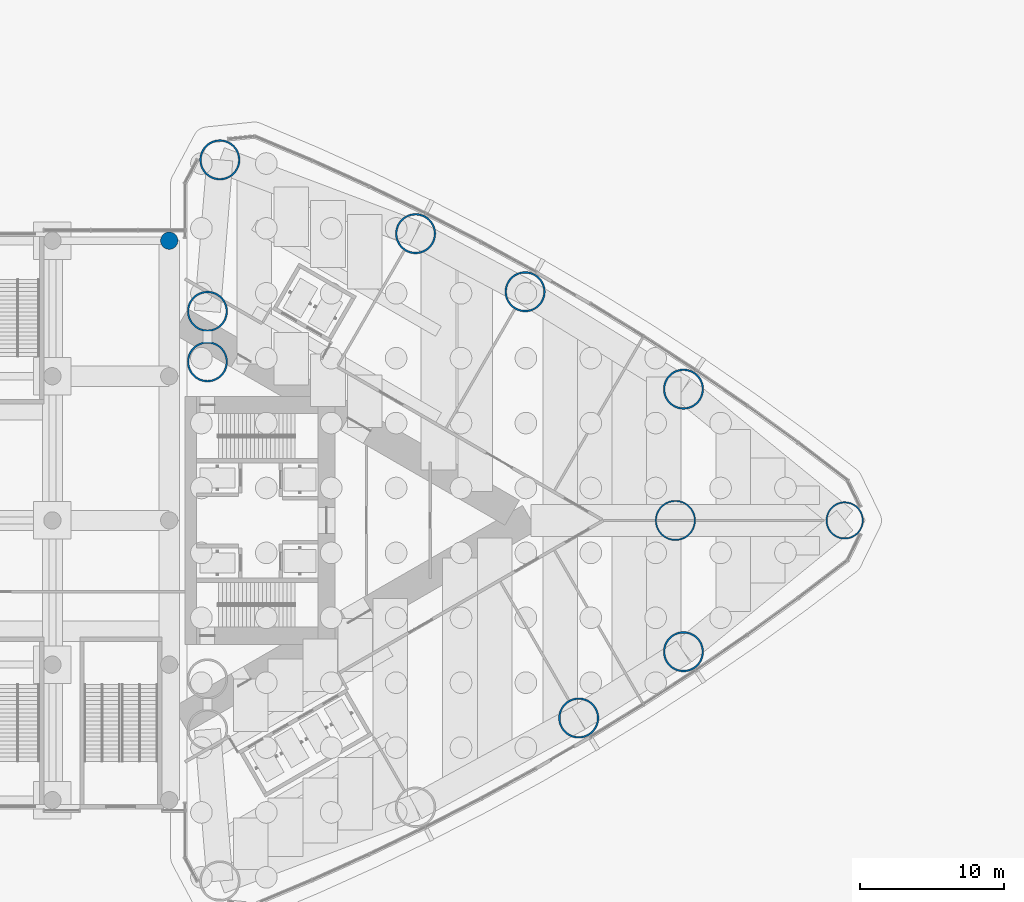
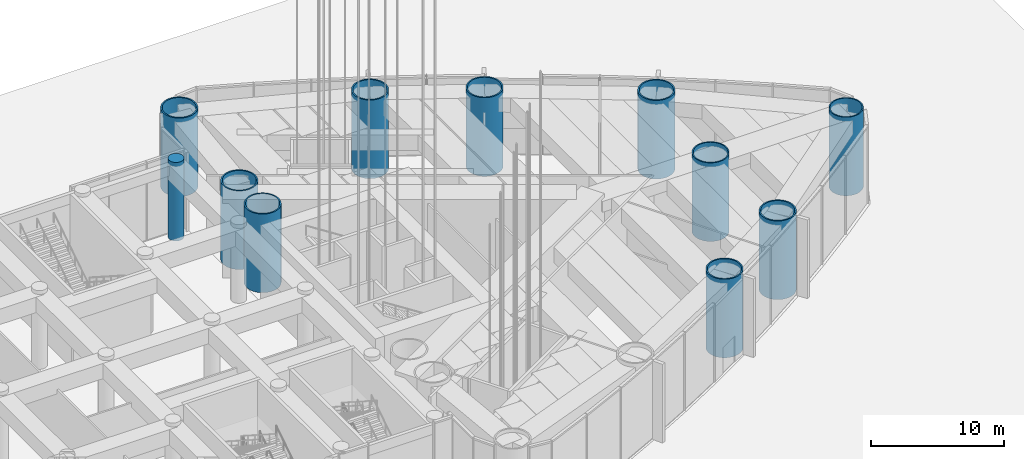
# One storey, part 6 of 43: 11 columns.
"""IFC4 building model written with IfcOpenShell, lengths in metres."""

from ifc_helpers import new_model, si_unit, direction, frame, origin, origin_2d, place, context, subcontext, project, spatial, circle, hollow_circle, extrude, material, material_profile, profile_set, type_object, element, save


model = new_model("IFC4")

# Units and contexts
model_context = context("Model", 3, precision=1e-05, world=origin(), true_north=direction((0.0, 1.0)))
body_context = subcontext(model_context, "Body", "Model", "MODEL_VIEW")
ifc_project = project(units=[si_unit("LENGTHUNIT", "METRE"), si_unit("AREAUNIT", "SQUARE_METRE"), si_unit("VOLUMEUNIT", "CUBIC_METRE"), si_unit("PLANEANGLEUNIT", "RADIAN"), si_unit("MASSUNIT", "GRAM", prefix="KILO")], contexts=[model_context])

# Site, building, storey
site_placement = place(None, origin())
site = spatial("IfcSite", under=ifc_project, at=site_placement, CompositionType="ELEMENT")
building_placement = place(site_placement, origin())
building = spatial("IfcBuilding", under=site, at=building_placement, Name="Lancet Gate Hotel", CompositionType="ELEMENT")
storey_placement = place(building_placement, origin())
storey = spatial("IfcBuildingStorey", under=building, at=storey_placement, Name="L00", CompositionType="ELEMENT", Elevation=0.0)

# Columns
ifc_material_1 = material(Name="Composite filled tube, grade 460 plate, grade 80/95 fill", Category="composite")
ifc_material_profile_1 = material_profile(ifc_material_1, hollow_circle(Radius=1.39990234375, WallThickness=0.10009765625, at=origin_2d()), Name="CHS 2800x100")
ifc_profile_set_1 = profile_set([ifc_material_profile_1], Name="Composite filled tube, grade 460 plate, grade 80/95 fill")
column_type_1 = type_object("IfcColumnType", Name="Apex column CFT CHS 2800x100", PredefinedType="COLUMN", material=ifc_profile_set_1)
column_1_placement = place(storey_placement, frame((61.5, 0.0, 0.0), z_axis=(0.0, 0.0, 1.0), x_axis=(1.0, 0.0, 0.0)))
element("IfcColumn", 1, at=column_1_placement, inside=storey, type_object=column_type_1, Name="T2 column AX L00", PredefinedType="COLUMN", context=body_context, shape_type="SweptSolid", body=[
    extrude(hollow_circle(Radius=1.39990234375, WallThickness=0.10009765625, at=origin_2d()), origin(), (0.0, 0.0, 1.0), 7.199951171875),
])
ifc_material_2 = material(Name="Composite filled tube, grade 460 plate, grade 80/95 fill", Category="composite")
ifc_material_profile_2 = material_profile(ifc_material_2, hollow_circle(Radius=1.300048828125, WallThickness=0.10009765625, at=origin_2d()), Name="CHS 2600x100")
ifc_profile_set_2 = profile_set([ifc_material_profile_2], Name="Composite filled tube, grade 460 plate, grade 80/95 fill")
column_type_2 = type_object("IfcColumnType", Name="Apex corner column CFT CHS 2600x100", PredefinedType="COLUMN", material=ifc_profile_set_2)
column_2_placement = place(storey_placement, frame((73.2392578125, 0.0, 0.0), z_axis=(0.0, 0.0, 1.0), x_axis=(1.0, 0.0, 0.0)))
element("IfcColumn", 2, at=column_2_placement, inside=storey, type_object=column_type_2, Name="T2 column CA L00", PredefinedType="COLUMN", context=body_context, shape_type="SweptSolid", body=[
    extrude(hollow_circle(Radius=1.300048828125, WallThickness=0.10009765625, at=origin_2d()), origin(), (0.0, 0.0, 1.0), 7.199951171875),
])
ifc_material_3 = material(Name="Composite filled tube, grade 460 plate, grade 80/95 fill", Category="composite")
ifc_material_profile_3 = material_profile(ifc_material_3, hollow_circle(Radius=1.39990234375, WallThickness=0.1201171875, at=origin_2d()), Name="CHS 2800x120")
ifc_profile_set_3 = profile_set([ifc_material_profile_3], Name="Composite filled tube, grade 460 plate, grade 80/95 fill")
column_type_3 = type_object("IfcColumnType", Name="Perimeter column CFT CHS 2800x120", PredefinedType="COLUMN", material=ifc_profile_set_3)
for number, where, z_axis, x_axis, name in (
    (3, (29.9111328125, 25.00244140625, 0.0), (0.0, 0.0, 1.0), (1.0, 0.0, 0.0), "T2 column CN L00"),
    (4, (29.050048828125, 11.0, 0.0), (0.0, 0.0, 1.0), (1.0, 0.0, 0.0), "T2 column IN L00"),
    (5, (29.050048828125, 14.5, 0.0), (0.0, 0.0, 1.0), (1.0, 0.0, 0.0), "T2 column JT L00"),
    (6, (62.059326171875, 9.10498046875, 0.0), (0.0, 0.0, 1.0), (1.0, 0.0, 0.0), "T2 column ON1 L00"),
    (7, (51.07763671875, 15.8583984375, 0.0), (0.0, 0.0, 1.0), (1.0, 0.0, 0.0), "T2 column ON2 L00"),
    (8, (43.484130859375, 19.886474609375, 0.0), (0.0, 0.0, 1.0), (1.0, 0.0, 0.0), "T2 column ON3 L00"),
    (9, (54.795166015625, -13.70068359375, 0.0), (0.0, 0.0, 1.0), (1.0, 0.0, 0.0), "T2 column OS2 L00"),
    (10, (62.059326171875, -9.10498046875, 0.0), (0.0, 0.0, 1.0), (1.0, 0.0, 0.0), "T2 column OS3 L00"),
):
    element("IfcColumn", number, at=place(storey_placement, frame(where, z_axis=z_axis, x_axis=x_axis)), inside=storey, type_object=column_type_3, Name=name, PredefinedType="COLUMN", context=body_context, shape_type="SweptSolid", body=[
        extrude(hollow_circle(Radius=1.39990234375, WallThickness=0.1201171875, at=origin_2d()), origin(), (0.0, 0.0, 1.0), 7.199951171875),
    ])
ifc_material_4 = material(Name="Concrete C60/75", Category="concrete")
ifc_material_profile_4 = material_profile(ifc_material_4, circle(Radius=0.60009765625, at=origin_2d()), Name="RC D1200")
ifc_profile_set_4 = profile_set([ifc_material_profile_4], Name="Concrete C60/75")
column_type_4 = type_object("IfcColumnType", Name="Podium column RC D1200", PredefinedType="COLUMN", material=ifc_profile_set_4)
column_3_placement = place(storey_placement, frame((26.39990234375, 19.39990234375, 0.0), z_axis=(0.0, 0.0, 1.0), x_axis=(1.0, 0.0, 0.0)))
element("IfcColumn", 11, at=column_3_placement, inside=storey, type_object=column_type_4, Name="Podium column 7E L00", PredefinedType="COLUMN", context=body_context, shape_type="SweptSolid", body=[
    extrude(circle(Radius=0.60009765625, at=origin_2d()), origin(), (0.0, 0.0, 1.0), 7.199951171875),
])

save(model, "model.ifc")
